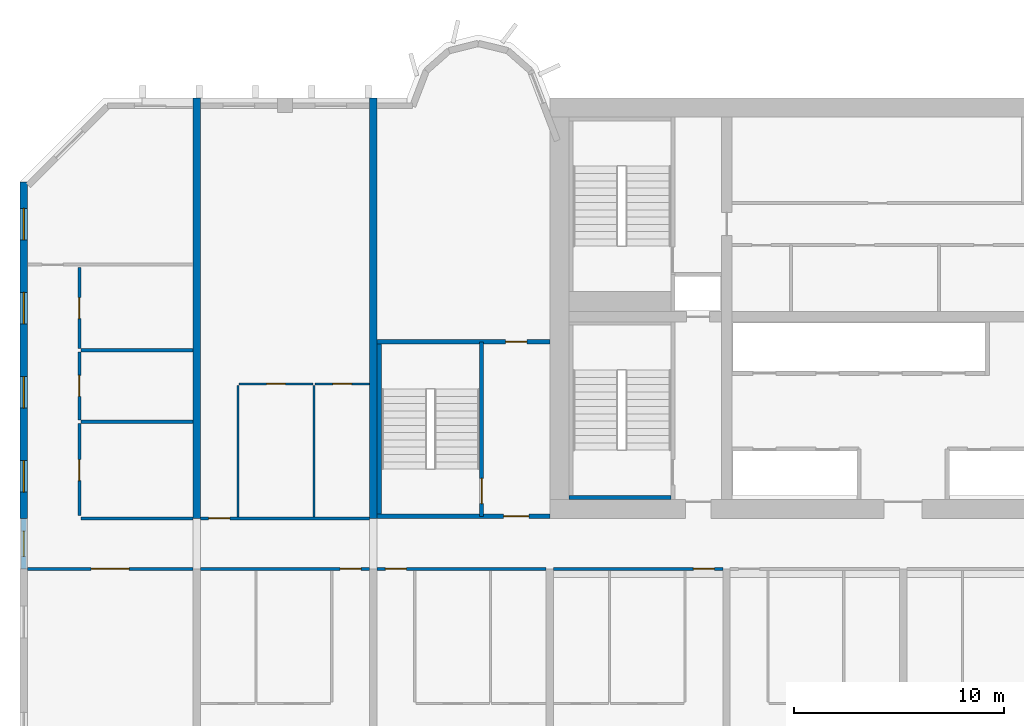
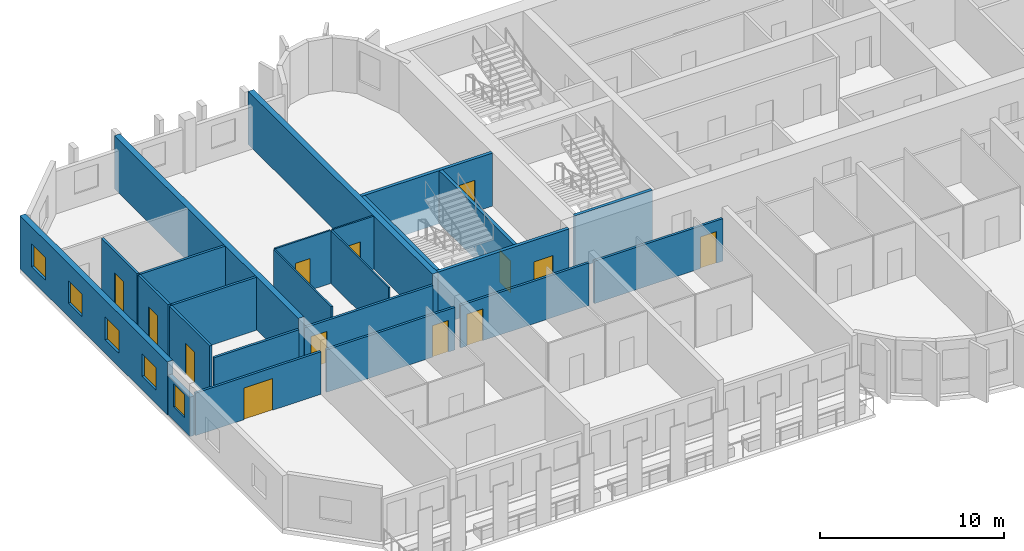
# One storey, part 3 of 14: 24 walls, 13 doors, 5 windows, 18 openings.
"""IFC4 building model written with IfcOpenShell, lengths in metres."""

from ifc_helpers import new_model, si_unit, direction, frame, frame_2d, origin, place, context, subcontext, project, spatial, rectangle, extrude, source, transform, mapped, material, layer, layer_set, type_object, element, fill, save


model = new_model("IFC4")

# Units and contexts
model_context = context("Model", 3, precision=1e-05, world=origin(), true_north=direction((0.0, 1.0)))
body_context = subcontext(model_context, "Body", "Model", "MODEL_VIEW")
ifc_project = project(units=[si_unit("LENGTHUNIT", "METRE"), si_unit("AREAUNIT", "SQUARE_METRE"), si_unit("VOLUMEUNIT", "CUBIC_METRE"), si_unit("PLANEANGLEUNIT", "RADIAN"), si_unit("MASSUNIT", "GRAM", prefix="KILO")], contexts=[model_context])

# Site, building, storey
site_placement = place(None, origin())
site = spatial("IfcSite", under=ifc_project, at=site_placement, CompositionType="ELEMENT")
building_placement = place(site_placement, origin())
building = spatial("IfcBuilding", under=site, at=building_placement, Name="Vanashikhar Sky Hotel", CompositionType="ELEMENT")
storey_placement = place(building_placement, frame((0.0, 0.0, 114.199951171875)))
storey = spatial("IfcBuildingStorey", under=building, at=storey_placement, Name="L27", CompositionType="ELEMENT", Elevation=114.199951171875)

# Wall, openings, windows
ifc_material_1 = material(Name="Concrete M70", Category="concrete")
ifc_layer_1 = layer(ifc_material_1, 0.35009765625)
ifc_layer_set_1 = layer_set([ifc_layer_1], Name="RC shear wall 350 Concrete M70")
wall_type_1 = type_object("IfcWallType", Name="RC shear wall 350 Concrete M70", PredefinedType="SHEAR", material=ifc_layer_set_1)
shared_shape_1 = source(origin(), body_context, "Body", "SweptSolid", [
    extrude(rectangle(XDim=16.0, YDim=0.35009765625, at=frame_2d((8.0, 0.0))), origin(), (0.0, 0.0, 1.0), 3.52001953125),
])
wall_1_placement = place(storey_placement, frame((0.175048828125, 22.0, 0.0), z_axis=(0.0, 0.0, 1.0), x_axis=(0.0, 1.0, 0.0)))
wall_1 = element("IfcWall", 1, at=wall_1_placement, inside=storey, type_object=wall_type_1, Name="CW-L27-XW01-2", PredefinedType="SHEAR", context=body_context, shape_type="MappedRepresentation", body=[
    mapped(shared_shape_1, transform((0.0, 0.0, 0.0), scale=1.0)),
])
shared_shape_2 = source(origin(), body_context, "Body", "SweptSolid", [
    extrude(rectangle(XDim=1.5, YDim=1.5, at=frame_2d((0.75, 0.75))), frame((0.0, 0.18505859375, 0.0), z_axis=(0.0, -1.0, 0.0), x_axis=(1.0, 0.0, 0.0)), (0.0, 0.0, 1.0), 0.3701171875),
])
opening_1_placement = place(wall_1_placement, frame((1.25, 0.0, 0.89990234375)))
opening_1 = element("IfcOpeningElement", 2, at=opening_1_placement, cuts=wall_1, Name="Opening WN-1", PredefinedType="OPENING", context=body_context, shape_type="MappedRepresentation", body=[
    mapped(shared_shape_2, transform((0.0, 0.0, 0.0), scale=1.0)),
])
opening_2_placement = place(wall_1_placement, frame((5.25, 0.0, 0.89990234375)))
opening_2 = element("IfcOpeningElement", 3, at=opening_2_placement, cuts=wall_1, Name="Opening WN-1", PredefinedType="OPENING", context=body_context, shape_type="MappedRepresentation", body=[
    mapped(shared_shape_2, transform((0.0, 0.0, 0.0), scale=1.0)),
])
opening_3_placement = place(wall_1_placement, frame((9.25, 0.0, 0.89990234375)))
opening_3 = element("IfcOpeningElement", 4, at=opening_3_placement, cuts=wall_1, Name="Opening WN-1", PredefinedType="OPENING", context=body_context, shape_type="MappedRepresentation", body=[
    mapped(shared_shape_2, transform((0.0, 0.0, 0.0), scale=1.0)),
])
opening_4_placement = place(wall_1_placement, frame((13.25, 0.0, 0.89990234375)))
opening_4 = element("IfcOpeningElement", 5, at=opening_4_placement, cuts=wall_1, Name="Opening WN-1", PredefinedType="OPENING", context=body_context, shape_type="MappedRepresentation", body=[
    mapped(shared_shape_2, transform((0.0, 0.0, 0.0), scale=1.0)),
])
ifc_material_2 = material(Name="Glass", Category="glass")
window_type_1 = type_object("IfcWindowType", Name="Window 1500 x 1500", PartitioningType="SINGLE_PANEL", PredefinedType="WINDOW", material=ifc_material_2)
shared_shape_3 = source(origin(), body_context, "Body", "SweptSolid", [
    extrude(rectangle(XDim=1.5, YDim=1.5, at=frame_2d((0.75, 0.75))), frame((0.0, 0.030029296875, 0.0), z_axis=(0.0, -1.0, 0.0), x_axis=(1.0, 0.0, 0.0)), (0.0, 0.0, 1.0), 0.06005859375),
])
window_1_placement = place(opening_1_placement, origin())
window_1 = element("IfcWindow", 6, at=window_1_placement, inside=storey, type_object=window_type_1, Name="Window WN-1", OverallHeight=1.5, OverallWidth=1.5, PartitioningType="SINGLE_PANEL", PredefinedType="WINDOW", context=body_context, shape_type="MappedRepresentation", body=[
    mapped(shared_shape_3, transform((0.0, 0.0, 0.0), scale=1.0)),
])
fill(opening_1, window_1)
window_2_placement = place(opening_2_placement, origin())
window_2 = element("IfcWindow", 7, at=window_2_placement, inside=storey, type_object=window_type_1, Name="Window WN-1", OverallHeight=1.5, OverallWidth=1.5, PartitioningType="SINGLE_PANEL", PredefinedType="WINDOW", context=body_context, shape_type="MappedRepresentation", body=[
    mapped(shared_shape_3, transform((0.0, 0.0, 0.0), scale=1.0)),
])
fill(opening_2, window_2)
window_3_placement = place(opening_3_placement, origin())
window_3 = element("IfcWindow", 8, at=window_3_placement, inside=storey, type_object=window_type_1, Name="Window WN-1", OverallHeight=1.5, OverallWidth=1.5, PartitioningType="SINGLE_PANEL", PredefinedType="WINDOW", context=body_context, shape_type="MappedRepresentation", body=[
    mapped(shared_shape_3, transform((0.0, 0.0, 0.0), scale=1.0)),
])
fill(opening_3, window_3)
window_4_placement = place(opening_4_placement, origin())
window_4 = element("IfcWindow", 9, at=window_4_placement, inside=storey, type_object=window_type_1, Name="Window WN-1", OverallHeight=1.5, OverallWidth=1.5, PartitioningType="SINGLE_PANEL", PredefinedType="WINDOW", context=body_context, shape_type="MappedRepresentation", body=[
    mapped(shared_shape_3, transform((0.0, 0.0, 0.0), scale=1.0)),
])
fill(opening_4, window_4)

# Walls
shared_shape_4 = source(origin(), body_context, "Body", "SweptSolid", [
    extrude(rectangle(XDim=20.0, YDim=0.35009765625, at=frame_2d((10.0, 0.0))), origin(), (0.0, 0.0, 1.0), 3.52001953125),
])
for number, where, z_axis, x_axis, name in (
    (10, (8.39990234375, 22.0, 0.0), (0.0, 0.0, 1.0), (0.0, 1.0, 0.0), "CW-L27-XW02-2"),
    (11, (16.800048828125, 22.0, 0.0), (0.0, 0.0, 1.0), (0.0, 1.0, 0.0), "CW-L27-XW03-2"),
):
    element("IfcWall", number, at=place(storey_placement, frame(where, z_axis=z_axis, x_axis=x_axis)), inside=storey, type_object=wall_type_1, Name=name, PredefinedType="SHEAR", context=body_context, shape_type="MappedRepresentation", body=[
        mapped(shared_shape_4, transform((0.0, 0.0, 0.0), scale=1.0)),
    ])

# Wall, opening, window
ifc_material_3 = material(Name="Concrete M50", Category="concrete")
ifc_layer_2 = layer(ifc_material_3, 0.25)
ifc_layer_set_2 = layer_set([ifc_layer_2], Name="Rear and end board-marked wall 250")
wall_type_2 = type_object("IfcWallType", Name="Rear and end board-marked wall 250", PredefinedType="SOLIDWALL", material=ifc_layer_set_2)
shared_shape_5 = source(origin(), body_context, "Body", "SweptSolid", [
    extrude(rectangle(XDim=2.39990234375, YDim=0.25, at=frame_2d((1.199951171875, 0.0))), origin(), (0.0, 0.0, 1.0), 2.6201171875),
])
wall_2_placement = place(storey_placement, frame((0.175048828125, 19.60009765625, 0.0), z_axis=(0.0, 0.0, 1.0), x_axis=(0.0, 1.0, 0.0)))
wall_2 = element("IfcWall", 12, at=wall_2_placement, inside=storey, type_object=wall_type_2, Name="End corridor infill wall", PredefinedType="SOLIDWALL", context=body_context, shape_type="MappedRepresentation", body=[
    mapped(shared_shape_5, transform((0.0, 0.0, 0.0), scale=1.0)),
])
shared_shape_6 = source(origin(), body_context, "Body", "SweptSolid", [
    extrude(rectangle(XDim=1.199951171875, YDim=1.5, at=frame_2d((0.60009765625, 0.75))), frame((0.0, 0.135009765625, 0.0), z_axis=(0.0, -1.0, 0.0), x_axis=(1.0, 0.0, 0.0)), (0.0, 0.0, 1.0), 0.27001953125),
])
opening_5_placement = place(wall_2_placement, frame((0.60009765625, 0.0, 0.89990234375)))
opening_5 = element("IfcOpeningElement", 13, at=opening_5_placement, cuts=wall_2, Name="Opening WN-3", PredefinedType="OPENING", context=body_context, shape_type="MappedRepresentation", body=[
    mapped(shared_shape_6, transform((0.0, 0.0, 0.0), scale=1.0)),
])
window_type_2 = type_object("IfcWindowType", Name="Corridor end window 1200 x 1500", PartitioningType="SINGLE_PANEL", PredefinedType="WINDOW", material=ifc_material_2)
shared_shape_7 = source(origin(), body_context, "Body", "SweptSolid", [
    extrude(rectangle(XDim=1.199951171875, YDim=1.5, at=frame_2d((0.60009765625, 0.75))), frame((0.0, 0.030029296875, 0.0), z_axis=(0.0, -1.0, 0.0), x_axis=(1.0, 0.0, 0.0)), (0.0, 0.0, 1.0), 0.06005859375),
])
window_5_placement = place(opening_5_placement, origin())
window_5 = element("IfcWindow", 14, at=window_5_placement, inside=storey, type_object=window_type_2, Name="Window WN-3", OverallHeight=1.5, OverallWidth=1.199951171875, PartitioningType="SINGLE_PANEL", PredefinedType="WINDOW", context=body_context, shape_type="MappedRepresentation", body=[
    mapped(shared_shape_7, transform((0.0, 0.0, 0.0), scale=1.0)),
])
fill(opening_5, window_5)

# Wall, opening, door
ifc_layer_3 = layer(ifc_material_3, 0.199951171875)
ifc_layer_set_3 = layer_set([ifc_layer_3], Name="Stair wall 200")
wall_type_3 = type_object("IfcWallType", Name="Stair wall 200", PredefinedType="SOLIDWALL", material=ifc_layer_set_3)
shared_shape_8 = source(origin(), body_context, "Body", "SweptSolid", [
    extrude(rectangle(XDim=8.2998046875, YDim=0.199951171875, at=frame_2d((4.14990234375, 0.0))), origin(), (0.0, 0.0, 1.0), 3.52001953125),
])
wall_3_placement = place(storey_placement, frame((21.949951171875, 22.10009765625, 0.0), z_axis=(0.0, 0.0, 1.0), x_axis=(0.0, 1.0, 0.0)))
wall_3 = element("IfcWall", 15, at=wall_3_placement, inside=storey, type_object=wall_type_3, Name="Stair wall 200", PredefinedType="SOLIDWALL", context=body_context, shape_type="MappedRepresentation", body=[
    mapped(shared_shape_8, transform((0.0, 0.0, 0.0), scale=1.0)),
])
shared_shape_9 = source(origin(), body_context, "Body", "SweptSolid", [
    extrude(rectangle(XDim=1.199951171875, YDim=2.10009765625, at=frame_2d((0.60009765625, 1.050048828125))), frame((0.0, 0.10986328125, 0.0), z_axis=(0.0, -1.0, 0.0), x_axis=(1.0, 0.0, 0.0)), (0.0, 0.0, 1.0), 0.219970703125),
])
opening_6_placement = place(wall_3_placement, frame((0.60009765625, 0.0, 0.0)))
opening_6 = element("IfcOpeningElement", 16, at=opening_6_placement, cuts=wall_3, Name="Opening DC-1", PredefinedType="OPENING", context=body_context, shape_type="MappedRepresentation", body=[
    mapped(shared_shape_9, transform((0.0, 0.0, 0.0), scale=1.0)),
])
ifc_material_4 = material(Name="Steel", Category="steel")
door_type_1 = type_object("IfcDoorType", Name="Stair door 1200 FD120", OperationType="NOTDEFINED", PredefinedType="DOOR", material=ifc_material_4)
shared_shape_10 = source(origin(), body_context, "Body", "SweptSolid", [
    extrude(rectangle(XDim=1.199951171875, YDim=2.10009765625, at=frame_2d((0.60009765625, 1.050048828125))), frame((0.0, 0.02490234375, 0.0), z_axis=(0.0, -1.0, 0.0), x_axis=(1.0, 0.0, 0.0)), (0.0, 0.0, 1.0), 0.050048828125),
])
door_1_placement = place(opening_6_placement, origin())
door_1 = element("IfcDoor", 17, at=door_1_placement, inside=storey, type_object=door_type_1, Name="Stair door 1200 FD120", OperationType="SINGLE_SWING_RIGHT", OverallHeight=2.10009765625, OverallWidth=1.199951171875, PredefinedType="DOOR", context=body_context, shape_type="MappedRepresentation", body=[
    mapped(shared_shape_10, transform((0.0, 0.0, 0.0), scale=1.0)),
])
fill(opening_6, door_1)

shared_shape_11 = source(origin(), body_context, "Body", "SweptSolid", [
    extrude(rectangle(XDim=8.224853515625, YDim=0.199951171875, at=frame_2d((4.1123046875, 0.0))), origin(), (0.0, 0.0, 1.0), 3.52001953125),
])
wall_4_placement = place(storey_placement, frame((16.97509765625, 22.10009765625, 0.0), z_axis=(0.0, 0.0, 1.0), x_axis=(1.0, 0.0, 0.0)))
wall_4 = element("IfcWall", 18, at=wall_4_placement, inside=storey, type_object=wall_type_3, Name="Stair wall 200", PredefinedType="SOLIDWALL", context=body_context, shape_type="MappedRepresentation", body=[
    mapped(shared_shape_11, transform((0.0, 0.0, 0.0), scale=1.0)),
])
opening_7_placement = place(wall_4_placement, frame((6.02490234375, 0.0, 0.0)))
opening_7 = element("IfcOpeningElement", 19, at=opening_7_placement, cuts=wall_4, Name="Opening DC-2", PredefinedType="OPENING", context=body_context, shape_type="MappedRepresentation", body=[
    mapped(shared_shape_9, transform((0.0, 0.0, 0.0), scale=1.0)),
])
door_type_2 = type_object("IfcDoorType", Name="Firefighting lobby door 1200 FD120", OperationType="NOTDEFINED", PredefinedType="DOOR", material=ifc_material_4)
door_2_placement = place(opening_7_placement, origin())
door_2 = element("IfcDoor", 20, at=door_2_placement, inside=storey, type_object=door_type_2, Name="Firefighting lobby door 1200 FD120", OperationType="SINGLE_SWING_LEFT", OverallHeight=2.10009765625, OverallWidth=1.199951171875, PredefinedType="DOOR", context=body_context, shape_type="MappedRepresentation", body=[
    mapped(shared_shape_10, transform((0.0, 0.0, 0.0), scale=1.0)),
])
fill(opening_7, door_2)

wall_5_placement = place(storey_placement, frame((16.97509765625, 30.39990234375, 0.0), z_axis=(0.0, 0.0, 1.0), x_axis=(1.0, 0.0, 0.0)))
wall_5 = element("IfcWall", 21, at=wall_5_placement, inside=storey, type_object=wall_type_3, Name="Stair wall 200", PredefinedType="SOLIDWALL", context=body_context, shape_type="MappedRepresentation", body=[
    mapped(shared_shape_11, transform((0.0, 0.0, 0.0), scale=1.0)),
])
shared_shape_12 = source(origin(), body_context, "Body", "SweptSolid", [
    extrude(rectangle(XDim=1.0, YDim=2.10009765625, at=frame_2d((0.5, 1.050048828125))), frame((0.0, 0.10986328125, 0.0), z_axis=(0.0, -1.0, 0.0), x_axis=(1.0, 0.0, 0.0)), (0.0, 0.0, 1.0), 0.219970703125),
])
opening_8_placement = place(wall_5_placement, frame((6.125, 0.0, 0.0)))
opening_8 = element("IfcOpeningElement", 22, at=opening_8_placement, cuts=wall_5, Name="Opening DC-6", PredefinedType="OPENING", context=body_context, shape_type="MappedRepresentation", body=[
    mapped(shared_shape_12, transform((0.0, 0.0, 0.0), scale=1.0)),
])
door_type_3 = type_object("IfcDoorType", Name="Pocket door 1000 FD60", OperationType="NOTDEFINED", PredefinedType="DOOR", material=ifc_material_4)
shared_shape_13 = source(origin(), body_context, "Body", "SweptSolid", [
    extrude(rectangle(XDim=1.0, YDim=2.10009765625, at=frame_2d((0.5, 1.050048828125))), frame((0.0, 0.02490234375, 0.0), z_axis=(0.0, -1.0, 0.0), x_axis=(1.0, 0.0, 0.0)), (0.0, 0.0, 1.0), 0.050048828125),
])
door_3_placement = place(opening_8_placement, origin())
door_3 = element("IfcDoor", 23, at=door_3_placement, inside=storey, type_object=door_type_3, Name="Pocket door 1000 FD60", OperationType="SINGLE_SWING_LEFT", OverallHeight=2.10009765625, OverallWidth=1.0, PredefinedType="DOOR", context=body_context, shape_type="MappedRepresentation", body=[
    mapped(shared_shape_13, transform((0.0, 0.0, 0.0), scale=1.0)),
])
fill(opening_8, door_3)

# Walls
ifc_layer_4 = layer(ifc_material_3, 0.199951171875)
ifc_layer_set_4 = layer_set([ifc_layer_4], Name="Stair infill wall 200")
wall_type_4 = type_object("IfcWallType", Name="Stair infill wall 200", PredefinedType="SOLIDWALL", material=ifc_layer_set_4)
shared_shape_14 = source(origin(), body_context, "Body", "SweptSolid", [
    extrude(rectangle(XDim=4.849853515625, YDim=0.199951171875, at=frame_2d((2.4248046875, 0.0))), origin(), (0.0, 0.0, 1.0), 3.52001953125),
])
wall_6_placement = place(storey_placement, frame((26.10009765625, 23.0, 0.0), z_axis=(0.0, 0.0, 1.0), x_axis=(1.0, 0.0, 0.0)))
element("IfcWall", 24, at=wall_6_placement, inside=storey, type_object=wall_type_4, Name="Stair infill wall 200", PredefinedType="SOLIDWALL", context=body_context, shape_type="MappedRepresentation", body=[
    mapped(shared_shape_14, transform((0.0, 0.0, 0.0), scale=1.0)),
])
ifc_layer_5 = layer(ifc_material_3, 0.22509765625)
ifc_layer_set_5 = layer_set([ifc_layer_5], Name="Stair infill wall 225")
wall_type_5 = type_object("IfcWallType", Name="Stair infill wall 225", PredefinedType="SOLIDWALL", material=ifc_layer_set_5)
shared_shape_15 = source(origin(), body_context, "Body", "SweptSolid", [
    extrude(rectangle(XDim=8.10009765625, YDim=0.22509765625, at=frame_2d((4.050048828125, 0.0))), origin(), (0.0, 0.0, 1.0), 3.52001953125),
])
wall_7_placement = place(storey_placement, frame((17.0869140625, 22.199951171875, 0.0), z_axis=(0.0, 0.0, 1.0), x_axis=(0.0, 1.0, 0.0)))
element("IfcWall", 25, at=wall_7_placement, inside=storey, type_object=wall_type_5, Name="Stair infill wall 225", PredefinedType="SOLIDWALL", context=body_context, shape_type="MappedRepresentation", body=[
    mapped(shared_shape_15, transform((0.0, 0.0, 0.0), scale=1.0)),
])

# Wall, opening, door
ifc_material_5 = material(Name="Gypsum plasterboard partition")
ifc_layer_6 = layer(ifc_material_5, 0.14990234375)
ifc_layer_set_6 = layer_set([ifc_layer_6], Name="Corridor and demising partition 150")
wall_type_6 = type_object("IfcWallType", Name="Corridor and demising partition 150", PredefinedType="PARTITIONING", material=ifc_layer_set_6)
shared_shape_16 = source(origin(), body_context, "Body", "SweptSolid", [
    extrude(rectangle(XDim=4.375, YDim=0.14990234375, at=frame_2d((2.1875, 0.0))), origin(), (0.0, 0.0, 1.0), 3.52001953125),
])
wall_8_placement = place(storey_placement, frame((2.824951171875, 22.14990234375, 0.0), z_axis=(0.0, 0.0, 1.0), x_axis=(0.0, 1.0, 0.0)))
wall_8 = element("IfcWall", 26, at=wall_8_placement, inside=storey, type_object=wall_type_6, Name="W-L27-PW060", PredefinedType="PARTITIONING", context=body_context, shape_type="MappedRepresentation", body=[
    mapped(shared_shape_16, transform((0.0, 0.0, 0.0), scale=1.0)),
])
shared_shape_17 = source(origin(), body_context, "Body", "SweptSolid", [
    extrude(rectangle(XDim=1.0, YDim=2.10009765625, at=frame_2d((0.5, 1.050048828125))), frame((0.0, 0.0849609375, 0.0), z_axis=(0.0, -1.0, 0.0), x_axis=(1.0, 0.0, 0.0)), (0.0, 0.0, 1.0), 0.169921875),
])
opening_9_placement = place(wall_8_placement, frame((1.64990234375, 0.0, 0.0)))
opening_9 = element("IfcOpeningElement", 27, at=opening_9_placement, cuts=wall_8, Name="Opening D-01", PredefinedType="OPENING", context=body_context, shape_type="MappedRepresentation", body=[
    mapped(shared_shape_17, transform((0.0, 0.0, 0.0), scale=1.0)),
])
ifc_material_6 = material(Name="Timber fire door", Category="wood")
door_type_4 = type_object("IfcDoorType", Name="Guest entry door 1000 FD30S", OperationType="NOTDEFINED", PredefinedType="DOOR", material=ifc_material_6)
door_4_placement = place(opening_9_placement, origin())
door_4 = element("IfcDoor", 28, at=door_4_placement, inside=storey, type_object=door_type_4, Name="D-L27-036", OperationType="SINGLE_SWING_LEFT", OverallHeight=2.10009765625, OverallWidth=1.0, PredefinedType="DOOR", context=body_context, shape_type="MappedRepresentation", body=[
    mapped(shared_shape_13, transform((0.0, 0.0, 0.0), scale=1.0)),
])
fill(opening_9, door_4)

shared_shape_18 = source(origin(), body_context, "Body", "SweptSolid", [
    extrude(rectangle(XDim=3.25, YDim=0.14990234375, at=frame_2d((1.625, 0.0))), origin(), (0.0, 0.0, 1.0), 3.52001953125),
])
wall_9_placement = place(storey_placement, frame((2.824951171875, 26.675048828125, 0.0), z_axis=(0.0, 0.0, 1.0), x_axis=(0.0, 1.0, 0.0)))
wall_9 = element("IfcWall", 29, at=wall_9_placement, inside=storey, type_object=wall_type_6, Name="W-L27-PW062", PredefinedType="PARTITIONING", context=body_context, shape_type="MappedRepresentation", body=[
    mapped(shared_shape_18, transform((0.0, 0.0, 0.0), scale=1.0)),
])
opening_10_placement = place(wall_9_placement, frame((1.125, 0.0, 0.0)))
opening_10 = element("IfcOpeningElement", 30, at=opening_10_placement, cuts=wall_9, Name="Opening D-01", PredefinedType="OPENING", context=body_context, shape_type="MappedRepresentation", body=[
    mapped(shared_shape_17, transform((0.0, 0.0, 0.0), scale=1.0)),
])
door_5_placement = place(opening_10_placement, origin())
door_5 = element("IfcDoor", 31, at=door_5_placement, inside=storey, type_object=door_type_4, Name="D-L27-037", OperationType="SINGLE_SWING_LEFT", OverallHeight=2.10009765625, OverallWidth=1.0, PredefinedType="DOOR", context=body_context, shape_type="MappedRepresentation", body=[
    mapped(shared_shape_13, transform((0.0, 0.0, 0.0), scale=1.0)),
])
fill(opening_10, door_5)

shared_shape_19 = source(origin(), body_context, "Body", "SweptSolid", [
    extrude(rectangle(XDim=3.85009765625, YDim=0.14990234375, at=frame_2d((1.925048828125, 0.0))), origin(), (0.0, 0.0, 1.0), 3.52001953125),
])
wall_10_placement = place(storey_placement, frame((2.824951171875, 30.074951171875, 0.0), z_axis=(0.0, 0.0, 1.0), x_axis=(0.0, 1.0, 0.0)))
wall_10 = element("IfcWall", 32, at=wall_10_placement, inside=storey, type_object=wall_type_6, Name="W-L27-PW064", PredefinedType="PARTITIONING", context=body_context, shape_type="MappedRepresentation", body=[
    mapped(shared_shape_19, transform((0.0, 0.0, 0.0), scale=1.0)),
])
opening_11_placement = place(wall_10_placement, frame((1.425048828125, 0.0, 0.0)))
opening_11 = element("IfcOpeningElement", 33, at=opening_11_placement, cuts=wall_10, Name="Opening D-01", PredefinedType="OPENING", context=body_context, shape_type="MappedRepresentation", body=[
    mapped(shared_shape_17, transform((0.0, 0.0, 0.0), scale=1.0)),
])
door_6_placement = place(opening_11_placement, origin())
door_6 = element("IfcDoor", 34, at=door_6_placement, inside=storey, type_object=door_type_4, Name="D-L27-038", OperationType="SINGLE_SWING_LEFT", OverallHeight=2.10009765625, OverallWidth=1.0, PredefinedType="DOOR", context=body_context, shape_type="MappedRepresentation", body=[
    mapped(shared_shape_13, transform((0.0, 0.0, 0.0), scale=1.0)),
])
fill(opening_11, door_6)

ifc_layer_7 = layer(ifc_material_5, 0.10009765625)
ifc_layer_set_7 = layer_set([ifc_layer_7], Name="Wet room partition 100")
wall_type_7 = type_object("IfcWallType", Name="Wet room partition 100", PredefinedType="PARTITIONING", material=ifc_layer_set_7)
shared_shape_20 = source(origin(), body_context, "Body", "SweptSolid", [
    extrude(rectangle(XDim=3.5, YDim=0.10009765625, at=frame_2d((1.75, 0.0))), origin(), (0.0, 0.0, 1.0), 3.52001953125),
])
wall_11_placement = place(storey_placement, frame((10.425048828125, 28.39990234375, 0.0), z_axis=(0.0, 0.0, 1.0), x_axis=(1.0, 0.0, 0.0)))
wall_11 = element("IfcWall", 35, at=wall_11_placement, inside=storey, type_object=wall_type_7, Name="W-L27-PW068", PredefinedType="PARTITIONING", context=body_context, shape_type="MappedRepresentation", body=[
    mapped(shared_shape_20, transform((0.0, 0.0, 0.0), scale=1.0)),
])
shared_shape_21 = source(origin(), body_context, "Body", "SweptSolid", [
    extrude(rectangle(XDim=0.89990234375, YDim=2.10009765625, at=frame_2d((0.449951171875, 1.050048828125))), frame((0.0, 0.06005859375, 0.0), z_axis=(0.0, -1.0, 0.0), x_axis=(1.0, 0.0, 0.0)), (0.0, 0.0, 1.0), 0.1201171875),
])
opening_12_placement = place(wall_11_placement, frame((1.300048828125, 0.0, 0.0)))
opening_12 = element("IfcOpeningElement", 36, at=opening_12_placement, cuts=wall_11, Name="Opening D-02", PredefinedType="OPENING", context=body_context, shape_type="MappedRepresentation", body=[
    mapped(shared_shape_21, transform((0.0, 0.0, 0.0), scale=1.0)),
])
ifc_material_7 = material(Name="Timber door", Category="wood")
door_type_5 = type_object("IfcDoorType", Name="Internal door 900", OperationType="NOTDEFINED", PredefinedType="DOOR", material=ifc_material_7)
shared_shape_22 = source(origin(), body_context, "Body", "SweptSolid", [
    extrude(rectangle(XDim=0.89990234375, YDim=2.10009765625, at=frame_2d((0.449951171875, 1.050048828125))), frame((0.0, 0.02490234375, 0.0), z_axis=(0.0, -1.0, 0.0), x_axis=(1.0, 0.0, 0.0)), (0.0, 0.0, 1.0), 0.050048828125),
])
door_7_placement = place(opening_12_placement, origin())
door_7 = element("IfcDoor", 37, at=door_7_placement, inside=storey, type_object=door_type_5, Name="D-L27-040", OperationType="SINGLE_SWING_LEFT", OverallHeight=2.10009765625, OverallWidth=0.89990234375, PredefinedType="DOOR", context=body_context, shape_type="MappedRepresentation", body=[
    mapped(shared_shape_22, transform((0.0, 0.0, 0.0), scale=1.0)),
])
fill(opening_12, door_7)

# Walls
shared_shape_23 = source(origin(), body_context, "Body", "SweptSolid", [
    extrude(rectangle(XDim=6.25, YDim=0.10009765625, at=frame_2d((3.125, 0.0))), origin(), (0.0, 0.0, 1.0), 3.52001953125),
])
for number, where, z_axis, x_axis, name in (
    (38, (10.375, 22.074951171875, 0.0), (0.0, 0.0, 1.0), (0.0, 1.0, 0.0), "W-L27-PW066"),
    (39, (13.97509765625, 22.074951171875, 0.0), (0.0, 0.0, 1.0), (0.0, 1.0, 0.0), "W-L27-PW067"),
):
    element("IfcWall", number, at=place(storey_placement, frame(where, z_axis=z_axis, x_axis=x_axis)), inside=storey, type_object=wall_type_7, Name=name, PredefinedType="PARTITIONING", context=body_context, shape_type="MappedRepresentation", body=[
        mapped(shared_shape_23, transform((0.0, 0.0, 0.0), scale=1.0)),
    ])

# Wall, opening, door
shared_shape_24 = source(origin(), body_context, "Body", "SweptSolid", [
    extrude(rectangle(XDim=2.60009765625, YDim=0.10009765625, at=frame_2d((1.300048828125, 0.0))), origin(), (0.0, 0.0, 1.0), 3.52001953125),
])
wall_12_placement = place(storey_placement, frame((14.02490234375, 28.39990234375, 0.0), z_axis=(0.0, 0.0, 1.0), x_axis=(1.0, 0.0, 0.0)))
wall_12 = element("IfcWall", 40, at=wall_12_placement, inside=storey, type_object=wall_type_7, Name="W-L27-PW069", PredefinedType="PARTITIONING", context=body_context, shape_type="MappedRepresentation", body=[
    mapped(shared_shape_24, transform((0.0, 0.0, 0.0), scale=1.0)),
])
opening_13_placement = place(wall_12_placement, frame((0.85009765625, 0.0, 0.0)))
opening_13 = element("IfcOpeningElement", 41, at=opening_13_placement, cuts=wall_12, Name="Opening D-02", PredefinedType="OPENING", context=body_context, shape_type="MappedRepresentation", body=[
    mapped(shared_shape_21, transform((0.0, 0.0, 0.0), scale=1.0)),
])
door_8_placement = place(opening_13_placement, origin())
door_8 = element("IfcDoor", 42, at=door_8_placement, inside=storey, type_object=door_type_5, Name="D-L27-041", OperationType="SINGLE_SWING_LEFT", OverallHeight=2.10009765625, OverallWidth=0.89990234375, PredefinedType="DOOR", context=body_context, shape_type="MappedRepresentation", body=[
    mapped(shared_shape_22, transform((0.0, 0.0, 0.0), scale=1.0)),
])
fill(opening_13, door_8)

shared_shape_25 = source(origin(), body_context, "Body", "SweptSolid", [
    extrude(rectangle(XDim=8.050048828125, YDim=0.14990234375, at=frame_2d((4.02490234375, 0.0))), origin(), (0.0, 0.0, 1.0), 2.820068359375),
])
wall_13_placement = place(storey_placement, frame((8.574951171875, 19.60009765625, 0.0), z_axis=(0.0, 0.0, 1.0), x_axis=(1.0, 0.0, 0.0)))
wall_13 = element("IfcWall", 43, at=wall_13_placement, inside=storey, type_object=wall_type_6, Name="W-L27-PW007", PredefinedType="PARTITIONING", context=body_context, shape_type="MappedRepresentation", body=[
    mapped(shared_shape_25, transform((0.0, 0.0, 0.0), scale=1.0)),
])
opening_14_placement = place(wall_13_placement, frame((6.64990234375, 0.0, 0.0)))
opening_14 = element("IfcOpeningElement", 44, at=opening_14_placement, cuts=wall_13, Name="Opening D-01", PredefinedType="OPENING", context=body_context, shape_type="MappedRepresentation", body=[
    mapped(shared_shape_17, transform((0.0, 0.0, 0.0), scale=1.0)),
])
door_9_placement = place(opening_14_placement, origin())
door_9 = element("IfcDoor", 45, at=door_9_placement, inside=storey, type_object=door_type_4, Name="D-L27-005", OperationType="SINGLE_SWING_RIGHT", OverallHeight=2.10009765625, OverallWidth=1.0, PredefinedType="DOOR", context=body_context, shape_type="MappedRepresentation", body=[
    mapped(shared_shape_13, transform((0.0, 0.0, 0.0), scale=1.0)),
])
fill(opening_14, door_9)

wall_14_placement = place(storey_placement, frame((25.375, 19.60009765625, 0.0), z_axis=(0.0, 0.0, 1.0), x_axis=(1.0, 0.0, 0.0)))
wall_14 = element("IfcWall", 46, at=wall_14_placement, inside=storey, type_object=wall_type_6, Name="W-L27-PW017", PredefinedType="PARTITIONING", context=body_context, shape_type="MappedRepresentation", body=[
    mapped(shared_shape_25, transform((0.0, 0.0, 0.0), scale=1.0)),
])
opening_15_placement = place(wall_14_placement, frame((6.64990234375, 0.0, 0.0)))
opening_15 = element("IfcOpeningElement", 47, at=opening_15_placement, cuts=wall_14, Name="Opening D-01", PredefinedType="OPENING", context=body_context, shape_type="MappedRepresentation", body=[
    mapped(shared_shape_17, transform((0.0, 0.0, 0.0), scale=1.0)),
])
door_10_placement = place(opening_15_placement, origin())
door_10 = element("IfcDoor", 48, at=door_10_placement, inside=storey, type_object=door_type_4, Name="D-L27-011", OperationType="SINGLE_SWING_RIGHT", OverallHeight=2.10009765625, OverallWidth=1.0, PredefinedType="DOOR", context=body_context, shape_type="MappedRepresentation", body=[
    mapped(shared_shape_13, transform((0.0, 0.0, 0.0), scale=1.0)),
])
fill(opening_15, door_10)

wall_15_placement = place(storey_placement, frame((8.574951171875, 22.0, 0.0), z_axis=(0.0, 0.0, 1.0), x_axis=(1.0, 0.0, 0.0)))
wall_15 = element("IfcWall", 49, at=wall_15_placement, inside=storey, type_object=wall_type_6, Name="W-L27-PW070", PredefinedType="PARTITIONING", context=body_context, shape_type="MappedRepresentation", body=[
    mapped(shared_shape_25, transform((0.0, 0.0, 0.0), scale=1.0)),
])
opening_16_placement = place(wall_15_placement, frame((0.39990234375, 0.0, 0.0)))
opening_16 = element("IfcOpeningElement", 50, at=opening_16_placement, cuts=wall_15, Name="Opening D-01", PredefinedType="OPENING", context=body_context, shape_type="MappedRepresentation", body=[
    mapped(shared_shape_17, transform((0.0, 0.0, 0.0), scale=1.0)),
])
door_11_placement = place(opening_16_placement, origin())
door_11 = element("IfcDoor", 51, at=door_11_placement, inside=storey, type_object=door_type_4, Name="D-L27-042", OperationType="SINGLE_SWING_LEFT", OverallHeight=2.10009765625, OverallWidth=1.0, PredefinedType="DOOR", context=body_context, shape_type="MappedRepresentation", body=[
    mapped(shared_shape_13, transform((0.0, 0.0, 0.0), scale=1.0)),
])
fill(opening_16, door_11)

shared_shape_26 = source(origin(), body_context, "Body", "SweptSolid", [
    extrude(rectangle(XDim=8.0498046875, YDim=0.14990234375, at=frame_2d((4.02490234375, 0.0))), origin(), (0.0, 0.0, 1.0), 2.820068359375),
])
wall_16_placement = place(storey_placement, frame((16.97509765625, 19.60009765625, 0.0), z_axis=(0.0, 0.0, 1.0), x_axis=(1.0, 0.0, 0.0)))
wall_16 = element("IfcWall", 52, at=wall_16_placement, inside=storey, type_object=wall_type_6, Name="W-L27-PW012", PredefinedType="PARTITIONING", context=body_context, shape_type="MappedRepresentation", body=[
    mapped(shared_shape_26, transform((0.0, 0.0, 0.0), scale=1.0)),
])
opening_17_placement = place(wall_16_placement, frame((0.39990234375, 0.0, 0.0)))
opening_17 = element("IfcOpeningElement", 53, at=opening_17_placement, cuts=wall_16, Name="Opening D-01", PredefinedType="OPENING", context=body_context, shape_type="MappedRepresentation", body=[
    mapped(shared_shape_17, transform((0.0, 0.0, 0.0), scale=1.0)),
])
door_12_placement = place(opening_17_placement, origin())
door_12 = element("IfcDoor", 54, at=door_12_placement, inside=storey, type_object=door_type_4, Name="D-L27-008", OperationType="SINGLE_SWING_LEFT", OverallHeight=2.10009765625, OverallWidth=1.0, PredefinedType="DOOR", context=body_context, shape_type="MappedRepresentation", body=[
    mapped(shared_shape_13, transform((0.0, 0.0, 0.0), scale=1.0)),
])
fill(opening_17, door_12)

# Walls
shared_shape_27 = source(origin(), body_context, "Body", "SweptSolid", [
    extrude(rectangle(XDim=5.3251953125, YDim=0.14990234375, at=frame_2d((2.66259765625, 0.0))), origin(), (0.0, 0.0, 1.0), 2.820068359375),
])
wall_17_placement = place(storey_placement, frame((2.89990234375, 22.0, 0.0), z_axis=(0.0, 0.0, 1.0), x_axis=(1.0, 0.0, 0.0)))
element("IfcWall", 55, at=wall_17_placement, inside=storey, type_object=wall_type_6, Name="W-L27-PW059", PredefinedType="PARTITIONING", context=body_context, shape_type="MappedRepresentation", body=[
    mapped(shared_shape_27, transform((0.0, 0.0, 0.0), scale=1.0)),
])
shared_shape_28 = source(origin(), body_context, "Body", "SweptSolid", [
    extrude(rectangle(XDim=5.3251953125, YDim=0.14990234375, at=frame_2d((2.66259765625, 0.0))), origin(), (0.0, 0.0, 1.0), 3.52001953125),
])
for number, where, z_axis, x_axis, name in (
    (56, (2.89990234375, 26.60009765625, 0.0), (0.0, 0.0, 1.0), (1.0, 0.0, 0.0), "W-L27-PW061"),
    (57, (2.89990234375, 30.0, 0.0), (0.0, 0.0, 1.0), (1.0, 0.0, 0.0), "W-L27-PW063"),
):
    element("IfcWall", number, at=place(storey_placement, frame(where, z_axis=z_axis, x_axis=x_axis)), inside=storey, type_object=wall_type_6, Name=name, PredefinedType="PARTITIONING", context=body_context, shape_type="MappedRepresentation", body=[
        mapped(shared_shape_28, transform((0.0, 0.0, 0.0), scale=1.0)),
    ])

# Wall, opening, door
shared_shape_29 = source(origin(), body_context, "Body", "SweptSolid", [
    extrude(rectangle(XDim=7.875, YDim=0.14990234375, at=frame_2d((3.9375, 0.0))), origin(), (0.0, 0.0, 1.0), 2.820068359375),
])
wall_18_placement = place(storey_placement, frame((0.35009765625, 19.60009765625, 0.0), z_axis=(0.0, 0.0, 1.0), x_axis=(1.0, 0.0, 0.0)))
wall_18 = element("IfcWall", 58, at=wall_18_placement, inside=storey, type_object=wall_type_6, Name="W-L27-PW001", PredefinedType="PARTITIONING", context=body_context, shape_type="MappedRepresentation", body=[
    mapped(shared_shape_29, transform((0.0, 0.0, 0.0), scale=1.0)),
])
shared_shape_30 = source(origin(), body_context, "Body", "SweptSolid", [
    extrude(rectangle(XDim=1.800048828125, YDim=2.10009765625, at=frame_2d((0.89990234375, 1.050048828125))), frame((0.0, 0.0849609375, 0.0), z_axis=(0.0, -1.0, 0.0), x_axis=(1.0, 0.0, 0.0)), (0.0, 0.0, 1.0), 0.169921875),
])
opening_18_placement = place(wall_18_placement, frame((3.037109375, 0.0, 0.0)))
opening_18 = element("IfcOpeningElement", 59, at=opening_18_placement, cuts=wall_18, Name="Opening D-03", PredefinedType="OPENING", context=body_context, shape_type="MappedRepresentation", body=[
    mapped(shared_shape_30, transform((0.0, 0.0, 0.0), scale=1.0)),
])
door_type_6 = type_object("IfcDoorType", Name="Double leaf door 1800 FD30S", OperationType="NOTDEFINED", PredefinedType="DOOR", material=ifc_material_6)
shared_shape_31 = source(origin(), body_context, "Body", "SweptSolid", [
    extrude(rectangle(XDim=1.800048828125, YDim=2.10009765625, at=frame_2d((0.89990234375, 1.050048828125))), frame((0.0, 0.02490234375, 0.0), z_axis=(0.0, -1.0, 0.0), x_axis=(1.0, 0.0, 0.0)), (0.0, 0.0, 1.0), 0.050048828125),
])
door_13_placement = place(opening_18_placement, origin())
door_13 = element("IfcDoor", 60, at=door_13_placement, inside=storey, type_object=door_type_6, Name="D-L27-001", OperationType="DOUBLE_DOOR_SINGLE_SWING", OverallHeight=2.10009765625, OverallWidth=1.800048828125, PredefinedType="DOOR", context=body_context, shape_type="MappedRepresentation", body=[
    mapped(shared_shape_31, transform((0.0, 0.0, 0.0), scale=1.0)),
])
fill(opening_18, door_13)

save(model, "model.ifc")
